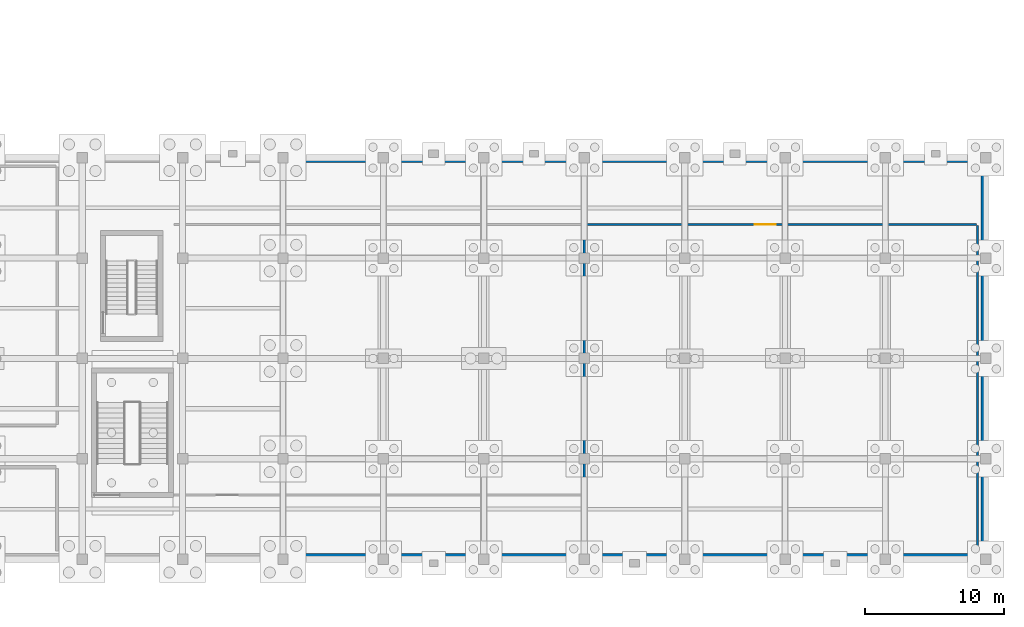
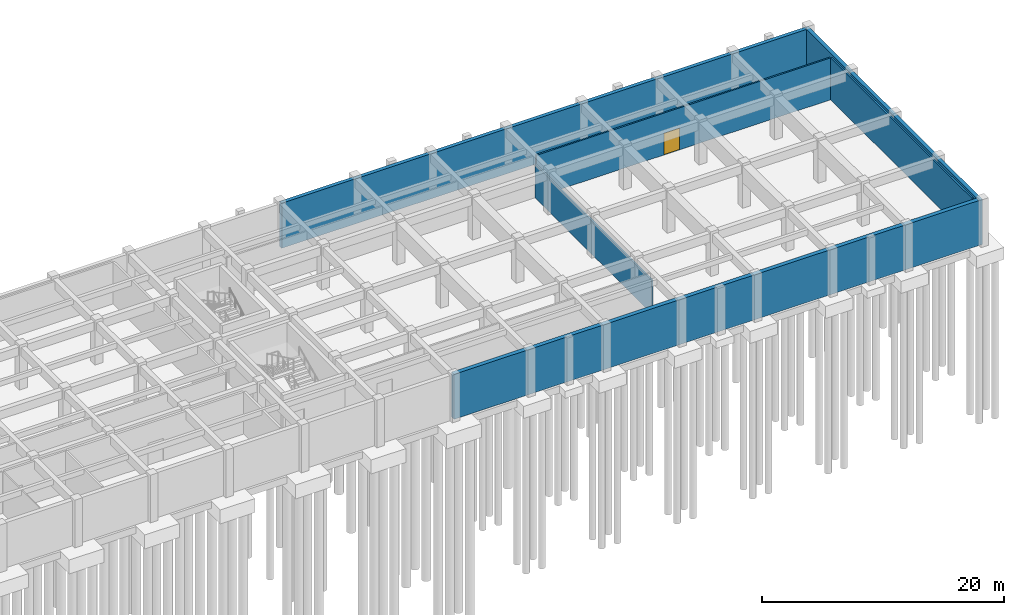
# One storey, part 20 of 28: 6 walls, 1 door, 1 opening.
"""IFC4 building model written with IfcOpenShell, lengths in metres."""

from ifc_helpers import new_model, si_unit, direction, frame, frame_2d, origin, place, context, subcontext, project, spatial, rectangle, extrude, material, layer, layer_set, type_object, element, fill, save


model = new_model("IFC4")

# Units and contexts
model_context = context("Model", 3, precision=1e-05, world=origin(), true_north=direction((0.0, 1.0)))
body_context = subcontext(model_context, "Body", "Model", "MODEL_VIEW")
ifc_project = project(units=[si_unit("LENGTHUNIT", "METRE"), si_unit("AREAUNIT", "SQUARE_METRE"), si_unit("VOLUMEUNIT", "CUBIC_METRE"), si_unit("PLANEANGLEUNIT", "RADIAN"), si_unit("MASSUNIT", "GRAM", prefix="KILO")], contexts=[model_context])

# Site, building, storey
site_placement = place(None, origin())
site = spatial("IfcSite", under=ifc_project, at=site_placement, CompositionType="ELEMENT")
building_placement = place(site_placement, origin())
building = spatial("IfcBuilding", under=site, at=building_placement, Name="Alvorim Cloister Faculty of Sciences", CompositionType="ELEMENT")
storey_placement = place(building_placement, frame((0.0, 0.0, -4.5)))
storey = spatial("IfcBuildingStorey", under=building, at=storey_placement, Name="B01", CompositionType="ELEMENT", Elevation=-4.5)

# Walls
ifc_material_1 = material(Name="Gypsum Fireboard Stud Partition", Category="gypsum")
ifc_layer_1 = layer(ifc_material_1, 0.14990234375)
ifc_layer_set_1 = layer_set([ifc_layer_1], Name="Gypsum Fireboard Stud Partition")
wall_type_1 = type_object("IfcWallType", Name="WL-PRT-150", PredefinedType="PARTITIONING", material=ifc_layer_set_1)
wall_1_placement = place(storey_placement, frame((136.800048828125, 4.679931640625, 0.0), z_axis=(0.0, 0.0, 1.0), x_axis=(0.0, 1.0, 0.0)))
element("IfcWall", 1, at=wall_1_placement, inside=storey, type_object=wall_type_1, Name="B01 Sub-Grade Rock Mechanics and Geophysics Lab Partition IWL-0443", PredefinedType="PARTITIONING", context=body_context, shape_type="SweptSolid", body=[
    extrude(rectangle(XDim=19.239990234375, YDim=0.14990234375, at=frame_2d((9.6201171875, 0.0))), origin(), (0.0, 0.0, 1.0), 3.375),
])
wall_2_placement = place(storey_placement, frame((165.0, 0.580078125, 0.0), z_axis=(0.0, 0.0, 1.0), x_axis=(0.0, 1.0, 0.0)))
element("IfcWall", 2, at=wall_2_placement, inside=storey, type_object=wall_type_1, Name="B01 High-Mass Seismic Testing Chamber Partition IWL-0445", PredefinedType="PARTITIONING", context=body_context, shape_type="SweptSolid", body=[
    extrude(rectangle(XDim=23.33984375, YDim=0.14990234375, at=frame_2d((11.669921875, 0.0))), origin(), (0.0, 0.0, 1.0), 4.22509765625),
])

# Wall, opening, door
wall_3_placement = place(storey_placement, frame((136.8798828125, 24.0, 0.0), z_axis=(0.0, 0.0, 1.0), x_axis=(1.0, 0.0, 0.0)))
wall_3 = element("IfcWall", 3, at=wall_3_placement, inside=storey, type_object=wall_type_1, Name="B01 High-Mass Seismic Testing Chamber Partition IWL-0446", PredefinedType="PARTITIONING", context=body_context, shape_type="SweptSolid", body=[
    extrude(rectangle(XDim=28.0400390625, YDim=0.14990234375, at=frame_2d((14.02001953125, 0.0))), origin(), (0.0, 0.0, 1.0), 4.22509765625),
])
opening_placement = place(wall_3_placement, frame((12.155029296875, 0.0, 0.0)))
opening = element("IfcOpeningElement", 4, at=opening_placement, cuts=wall_3, Name="Opening D-B01-074", PredefinedType="OPENING", context=body_context, shape_type="SweptSolid", body=[
    extrude(rectangle(XDim=1.5, YDim=2.199951171875, at=frame_2d((0.75, 1.10009765625))), frame((0.0, 0.0869140625, 0.0), z_axis=(0.0, -1.0, 0.0), x_axis=(1.0, 0.0, 0.0)), (0.0, 0.0, 1.0), 0.173828125),
])
ifc_material_2 = material(Name="Fire-Rated Laminate Timber", Category="wood")
door_type = type_object("IfcDoorType", Name="DR-LAB-1500x2200", OperationType="NOTDEFINED", PredefinedType="DOOR", material=ifc_material_2)
door_placement = place(opening_placement, origin())
door = element("IfcDoor", 5, at=door_placement, inside=storey, type_object=door_type, Name="High-Mass Seismic Testing Chamber Door D-B01-074", OperationType="DOUBLE_DOOR_SINGLE_SWING", OverallHeight=2.199951171875, OverallWidth=1.5, PredefinedType="DOOR", context=body_context, shape_type="SweptSolid", body=[
    extrude(rectangle(XDim=1.5, YDim=2.199951171875, at=frame_2d((0.75, 1.10009765625))), frame((0.0, 0.02490234375, 0.0), z_axis=(0.0, -1.0, 0.0), x_axis=(1.0, 0.0, 0.0)), (0.0, 0.0, 1.0), 0.050048828125),
])
fill(opening, door)

# Walls
ifc_material_3 = material(Name="Concrete C40", Category="concrete")
ifc_layer_2 = layer(ifc_material_3, 0.35009765625)
ifc_layer_set_2 = layer_set([ifc_layer_2], Name="Concrete C40")
wall_type_2 = type_object("IfcWallType", Name="WL-RET-350", PredefinedType="USERDEFINED", material=ifc_layer_set_2)
wall_4_placement = place(storey_placement, frame((115.199951171875, 28.625, -0.300048828125), z_axis=(0.0, 0.0, 1.0), x_axis=(1.0, 0.0, 0.0)))
element("IfcWall", 6, at=wall_4_placement, inside=storey, type_object=wall_type_2, Name="B01 Perimeter Retaining Wall WL-RET-0001", ObjectType="RETAINING WALL", PredefinedType="USERDEFINED", context=body_context, shape_type="SweptSolid", body=[
    extrude(rectangle(XDim=50.400146484375, YDim=0.35009765625, at=frame_2d((25.2001953125, 0.0))), origin(), (0.0, 0.0, 1.0), 4.5400390625),
])
wall_5_placement = place(storey_placement, frame((165.425048828125, 28.800048828125, -0.300048828125), z_axis=(0.0, 0.0, 1.0), x_axis=(0.0, -1.0, 0.0)))
element("IfcWall", 7, at=wall_5_placement, inside=storey, type_object=wall_type_2, Name="B01 Perimeter Retaining Wall WL-RET-0002", ObjectType="RETAINING WALL", PredefinedType="USERDEFINED", context=body_context, shape_type="SweptSolid", body=[
    extrude(rectangle(XDim=28.800048828125, YDim=0.35009765625, at=frame_2d((14.39990234375, 0.0))), origin(), (0.0, 0.0, 1.0), 4.5400390625),
])
ifc_layer_3 = layer(ifc_material_3, 0.39990234375)
ifc_layer_set_3 = layer_set([ifc_layer_3], Name="Concrete C40")
wall_type_3 = type_object("IfcWallType", Name="WL-RET-400", PredefinedType="USERDEFINED", material=ifc_layer_set_3)
wall_6_placement = place(storey_placement, frame((165.60009765625, 0.199951171875, -0.300048828125), z_axis=(0.0, 0.0, 1.0), x_axis=(-1.0, 0.0, 0.0)))
element("IfcWall", 8, at=wall_6_placement, inside=storey, type_object=wall_type_3, Name="B01 Perimeter Retaining Wall WL-RET-0003", ObjectType="RETAINING WALL", PredefinedType="USERDEFINED", context=body_context, shape_type="SweptSolid", body=[
    extrude(rectangle(XDim=50.400146484375, YDim=0.39990234375, at=frame_2d((25.2001953125, 0.0))), origin(), (0.0, 0.0, 1.0), 4.5400390625),
])

save(model, "model.ifc")
